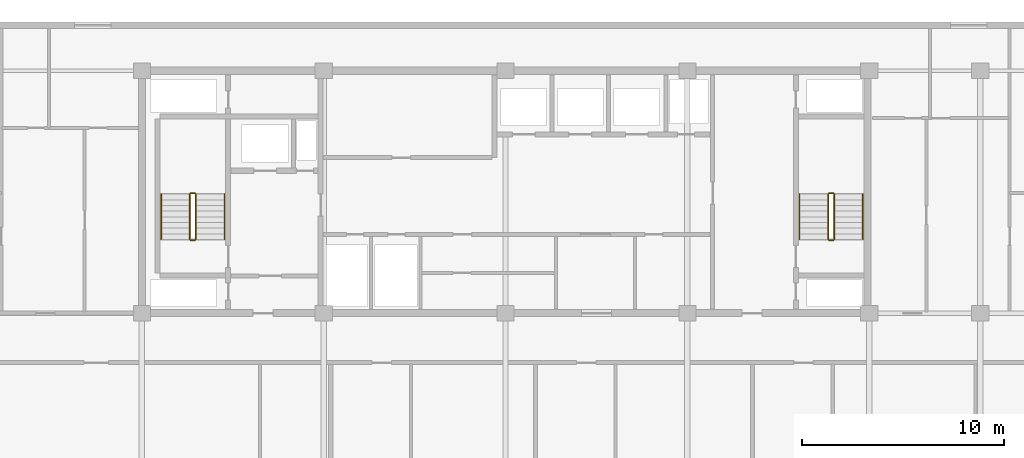
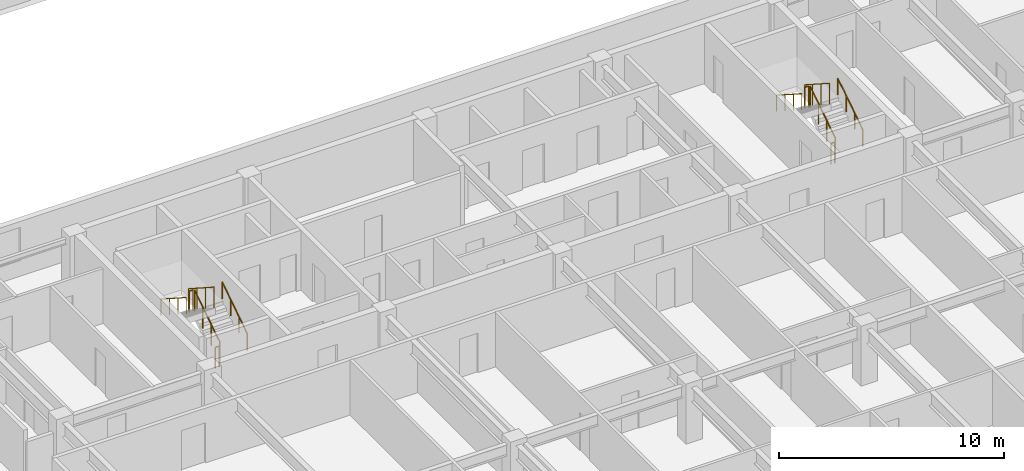
# One storey, part 18 of 21: 12 railings.
"""IFC4 building model written with IfcOpenShell, lengths in metres."""

from ifc_helpers import new_model, si_unit, direction, frame, origin, origin_2d, place, context, subcontext, project, spatial, circle, extrude, material, type_object, element, save


model = new_model("IFC4")

# Units and contexts
model_context = context("Model", 3, precision=1e-05, world=origin(), true_north=direction((0.0, 1.0)))
body_context = subcontext(model_context, "Body", "Model", "MODEL_VIEW")
ifc_project = project(units=[si_unit("LENGTHUNIT", "METRE"), si_unit("AREAUNIT", "SQUARE_METRE"), si_unit("VOLUMEUNIT", "CUBIC_METRE"), si_unit("PLANEANGLEUNIT", "RADIAN"), si_unit("MASSUNIT", "GRAM", prefix="KILO")], contexts=[model_context])

# Site, building, storey
site_placement = place(None, origin())
site = spatial("IfcSite", under=ifc_project, at=site_placement, CompositionType="ELEMENT")
building_placement = place(site_placement, origin())
building = spatial("IfcBuilding", under=site, at=building_placement, Name="Korimba Cascade Residences", CompositionType="ELEMENT")
storey_placement = place(building_placement, frame((0.0, 0.0, 100.300048828125)))
storey = spatial("IfcBuildingStorey", under=building, at=storey_placement, Name="L28", CompositionType="ELEMENT", Elevation=100.300048828125)

# Railings
ifc_material_1 = material(Name="Painted Steel Stairwell Guardrail", Category="steel")
railing_type_1 = type_object("IfcRailingType", Name="RLG-ST-GD1150", PredefinedType="GUARDRAIL", material=ifc_material_1)
railing_1_placement = place(storey_placement, frame((84.77001953125, 22.050048828125, 0.180419921875)))
element("IfcRailing", 1, at=railing_1_placement, inside=storey, type_object=railing_type_1, Name="L28 ST-E1 stair guard 1", PredefinedType="GUARDRAIL", context=body_context, shape_type="SweptSolid", body=[
    extrude(circle(Radius=0.02392578125, at=origin_2d()), frame((0.0, 0.0, 1.1259765625), z_axis=(0.0, 0.840394893359, 0.541974559565), x_axis=(-1.0, 0.0, 0.0)), (0.0, 0.0, 1.0), 2.665283203125),
    extrude(circle(Radius=0.02099609375, at=origin_2d()), origin(), (0.0, 0.0, 1.0), 1.101806640625),
    extrude(circle(Radius=0.02099609375, at=origin_2d()), frame((0.0, 0.74658203125, 0.4814453125)), (0.0, 0.0, 1.0), 1.101806640625),
    extrude(circle(Radius=0.02099609375, at=origin_2d()), frame((0.0, 1.493408203125, 0.963134765625)), (0.0, 0.0, 1.0), 1.101806640625),
    extrude(circle(Radius=0.02099609375, at=origin_2d()), frame((0.0, 2.239990234375, 1.444580078125)), (0.0, 0.0, 1.0), 1.101806640625),
])
railing_2_placement = place(storey_placement, frame((84.719970703125, 24.340087890625, 1.625)))
element("IfcRailing", 2, at=railing_2_placement, inside=storey, type_object=railing_type_1, Name="L28 ST-E1 stair guard 2", PredefinedType="GUARDRAIL", context=body_context, shape_type="SweptSolid", body=[
    extrude(circle(Radius=0.02392578125, at=origin_2d()), frame((0.0, 0.0, 1.1259765625), z_axis=(-1.0, 0.0, 0.0), x_axis=(0.0, -1.0, 0.0)), (0.0, 0.0, 1.0), 0.199951171875),
    extrude(circle(Radius=0.02099609375, at=origin_2d()), origin(), (0.0, 0.0, 1.0), 1.101806640625),
    extrude(circle(Radius=0.02099609375, at=origin_2d()), frame((-0.199951171875, 0.0, 0.0)), (0.0, 0.0, 1.0), 1.101806640625),
])
railing_3_placement = place(storey_placement, frame((84.469970703125, 24.2900390625, 1.805419921875)))
element("IfcRailing", 3, at=railing_3_placement, inside=storey, type_object=railing_type_1, Name="L28 ST-E1 stair guard 3", PredefinedType="GUARDRAIL", context=body_context, shape_type="SweptSolid", body=[
    extrude(circle(Radius=0.02392578125, at=origin_2d()), frame((0.0, 0.0, 1.1259765625), z_axis=(0.0, -0.840394893359, 0.541974559565), x_axis=(1.0, 0.0, 0.0)), (0.0, 0.0, 1.0), 2.665283203125),
    extrude(circle(Radius=0.02099609375, at=origin_2d()), origin(), (0.0, 0.0, 1.0), 1.101806640625),
    extrude(circle(Radius=0.02099609375, at=origin_2d()), frame((0.0, -0.74658203125, 0.4814453125)), (0.0, 0.0, 1.0), 1.101806640625),
    extrude(circle(Radius=0.02099609375, at=origin_2d()), frame((0.0, -1.493408203125, 0.963134765625)), (0.0, 0.0, 1.0), 1.101806640625),
    extrude(circle(Radius=0.02099609375, at=origin_2d()), frame((0.0, -2.239990234375, 1.444580078125)), (0.0, 0.0, 1.0), 1.101806640625),
])
railing_4_placement = place(storey_placement, frame((84.719970703125, 22.0, 0.0)))
element("IfcRailing", 4, at=railing_4_placement, inside=storey, type_object=railing_type_1, Name="L28 ST-E1 stair guard 4", PredefinedType="GUARDRAIL", context=body_context, shape_type="SweptSolid", body=[
    extrude(circle(Radius=0.02392578125, at=origin_2d()), frame((0.0, 0.0, 1.1259765625), z_axis=(-1.0, 0.0, 0.0), x_axis=(0.0, -1.0, 0.0)), (0.0, 0.0, 1.0), 0.199951171875),
    extrude(circle(Radius=0.02099609375, at=origin_2d()), origin(), (0.0, 0.0, 1.0), 1.101806640625),
    extrude(circle(Radius=0.02099609375, at=origin_2d()), frame((-0.199951171875, 0.0, 0.0)), (0.0, 0.0, 1.0), 1.101806640625),
])
railing_5_placement = place(storey_placement, frame((116.3701171875, 22.050048828125, 0.180419921875)))
element("IfcRailing", 5, at=railing_5_placement, inside=storey, type_object=railing_type_1, Name="L28 ST-E2 stair guard 1", PredefinedType="GUARDRAIL", context=body_context, shape_type="SweptSolid", body=[
    extrude(circle(Radius=0.02392578125, at=origin_2d()), frame((0.0, 0.0, 1.1259765625), z_axis=(0.0, 0.840394893359, 0.541974559565), x_axis=(-1.0, 0.0, 0.0)), (0.0, 0.0, 1.0), 2.665283203125),
    extrude(circle(Radius=0.02099609375, at=origin_2d()), origin(), (0.0, 0.0, 1.0), 1.101806640625),
    extrude(circle(Radius=0.02099609375, at=origin_2d()), frame((0.0, 0.74658203125, 0.4814453125)), (0.0, 0.0, 1.0), 1.101806640625),
    extrude(circle(Radius=0.02099609375, at=origin_2d()), frame((0.0, 1.493408203125, 0.963134765625)), (0.0, 0.0, 1.0), 1.101806640625),
    extrude(circle(Radius=0.02099609375, at=origin_2d()), frame((0.0, 2.239990234375, 1.444580078125)), (0.0, 0.0, 1.0), 1.101806640625),
])
railing_6_placement = place(storey_placement, frame((116.320068359375, 24.340087890625, 1.625)))
element("IfcRailing", 6, at=railing_6_placement, inside=storey, type_object=railing_type_1, Name="L28 ST-E2 stair guard 2", PredefinedType="GUARDRAIL", context=body_context, shape_type="SweptSolid", body=[
    extrude(circle(Radius=0.02392578125, at=origin_2d()), frame((0.0, 0.0, 1.1259765625), z_axis=(-1.0, 0.0, 0.0), x_axis=(0.0, -1.0, 0.0)), (0.0, 0.0, 1.0), 0.199951171875),
    extrude(circle(Radius=0.02099609375, at=origin_2d()), origin(), (0.0, 0.0, 1.0), 1.101806640625),
    extrude(circle(Radius=0.02099609375, at=origin_2d()), frame((-0.199951171875, 0.0, 0.0)), (0.0, 0.0, 1.0), 1.101806640625),
])
railing_7_placement = place(storey_placement, frame((116.070068359375, 24.2900390625, 1.805419921875)))
element("IfcRailing", 7, at=railing_7_placement, inside=storey, type_object=railing_type_1, Name="L28 ST-E2 stair guard 3", PredefinedType="GUARDRAIL", context=body_context, shape_type="SweptSolid", body=[
    extrude(circle(Radius=0.02392578125, at=origin_2d()), frame((0.0, 0.0, 1.1259765625), z_axis=(0.0, -0.840394893359, 0.541974559565), x_axis=(1.0, 0.0, 0.0)), (0.0, 0.0, 1.0), 2.665283203125),
    extrude(circle(Radius=0.02099609375, at=origin_2d()), origin(), (0.0, 0.0, 1.0), 1.101806640625),
    extrude(circle(Radius=0.02099609375, at=origin_2d()), frame((0.0, -0.74658203125, 0.4814453125)), (0.0, 0.0, 1.0), 1.101806640625),
    extrude(circle(Radius=0.02099609375, at=origin_2d()), frame((0.0, -1.493408203125, 0.963134765625)), (0.0, 0.0, 1.0), 1.101806640625),
    extrude(circle(Radius=0.02099609375, at=origin_2d()), frame((0.0, -2.239990234375, 1.444580078125)), (0.0, 0.0, 1.0), 1.101806640625),
])
railing_8_placement = place(storey_placement, frame((116.320068359375, 22.0, 0.0)))
element("IfcRailing", 8, at=railing_8_placement, inside=storey, type_object=railing_type_1, Name="L28 ST-E2 stair guard 4", PredefinedType="GUARDRAIL", context=body_context, shape_type="SweptSolid", body=[
    extrude(circle(Radius=0.02392578125, at=origin_2d()), frame((0.0, 0.0, 1.1259765625), z_axis=(-1.0, 0.0, 0.0), x_axis=(0.0, -1.0, 0.0)), (0.0, 0.0, 1.0), 0.199951171875),
    extrude(circle(Radius=0.02099609375, at=origin_2d()), origin(), (0.0, 0.0, 1.0), 1.101806640625),
    extrude(circle(Radius=0.02099609375, at=origin_2d()), frame((-0.199951171875, 0.0, 0.0)), (0.0, 0.0, 1.0), 1.101806640625),
])
ifc_material_2 = material(Name="Brushed Stainless Steel Handrail", Category="steel")
railing_type_2 = type_object("IfcRailingType", Name="RLG-ST-HR900", PredefinedType="HANDRAIL", material=ifc_material_2)
railing_9_placement = place(storey_placement, frame((86.18994140625, 22.050048828125, 0.364990234375)))
element("IfcRailing", 9, at=railing_9_placement, inside=storey, type_object=railing_type_2, Name="L28 ST-E1 stair handrail 1", PredefinedType="HANDRAIL", context=body_context, shape_type="SweptSolid", body=[
    extrude(circle(Radius=0.02392578125, at=origin_2d()), frame((0.0, 0.0, 0.8759765625), z_axis=(0.0, 0.840436612492, 0.541909863706), x_axis=(-1.0, 0.0, 0.0)), (0.0, 0.0, 1.0), 2.665283203125),
    extrude(circle(Radius=0.02099609375, at=origin_2d()), origin(), (0.0, 0.0, 1.0), 0.851806640625),
    extrude(circle(Radius=0.02099609375, at=origin_2d()), frame((0.0, 0.74658203125, 0.4814453125)), (0.0, 0.0, 1.0), 0.851806640625),
    extrude(circle(Radius=0.02099609375, at=origin_2d()), frame((0.0, 1.493408203125, 0.962890625)), (0.0, 0.0, 1.0), 0.851806640625),
    extrude(circle(Radius=0.02099609375, at=origin_2d()), frame((0.0, 2.239990234375, 1.4443359375)), (0.0, 0.0, 1.0), 0.851806640625),
])
railing_10_placement = place(storey_placement, frame((83.050048828125, 24.2900390625, 1.989990234375)))
element("IfcRailing", 10, at=railing_10_placement, inside=storey, type_object=railing_type_2, Name="L28 ST-E1 stair handrail 2", PredefinedType="HANDRAIL", context=body_context, shape_type="SweptSolid", body=[
    extrude(circle(Radius=0.02392578125, at=origin_2d()), frame((0.0, 0.0, 0.8759765625), z_axis=(0.0, -0.840436612492, 0.541909863706), x_axis=(1.0, 0.0, 0.0)), (0.0, 0.0, 1.0), 2.665283203125),
    extrude(circle(Radius=0.02099609375, at=origin_2d()), origin(), (0.0, 0.0, 1.0), 0.851806640625),
    extrude(circle(Radius=0.02099609375, at=origin_2d()), frame((0.0, -0.74658203125, 0.4814453125)), (0.0, 0.0, 1.0), 0.851806640625),
    extrude(circle(Radius=0.02099609375, at=origin_2d()), frame((0.0, -1.493408203125, 0.962890625)), (0.0, 0.0, 1.0), 0.851806640625),
    extrude(circle(Radius=0.02099609375, at=origin_2d()), frame((0.0, -2.239990234375, 1.4443359375)), (0.0, 0.0, 1.0), 0.851806640625),
])
railing_11_placement = place(storey_placement, frame((117.7900390625, 22.050048828125, 0.364990234375)))
element("IfcRailing", 11, at=railing_11_placement, inside=storey, type_object=railing_type_2, Name="L28 ST-E2 stair handrail 1", PredefinedType="HANDRAIL", context=body_context, shape_type="SweptSolid", body=[
    extrude(circle(Radius=0.02392578125, at=origin_2d()), frame((0.0, 0.0, 0.8759765625), z_axis=(0.0, 0.840436612492, 0.541909863706), x_axis=(-1.0, 0.0, 0.0)), (0.0, 0.0, 1.0), 2.665283203125),
    extrude(circle(Radius=0.02099609375, at=origin_2d()), origin(), (0.0, 0.0, 1.0), 0.851806640625),
    extrude(circle(Radius=0.02099609375, at=origin_2d()), frame((0.0, 0.74658203125, 0.4814453125)), (0.0, 0.0, 1.0), 0.851806640625),
    extrude(circle(Radius=0.02099609375, at=origin_2d()), frame((0.0, 1.493408203125, 0.962890625)), (0.0, 0.0, 1.0), 0.851806640625),
    extrude(circle(Radius=0.02099609375, at=origin_2d()), frame((0.0, 2.239990234375, 1.4443359375)), (0.0, 0.0, 1.0), 0.851806640625),
])
railing_12_placement = place(storey_placement, frame((114.64990234375, 24.2900390625, 1.989990234375)))
element("IfcRailing", 12, at=railing_12_placement, inside=storey, type_object=railing_type_2, Name="L28 ST-E2 stair handrail 2", PredefinedType="HANDRAIL", context=body_context, shape_type="SweptSolid", body=[
    extrude(circle(Radius=0.02392578125, at=origin_2d()), frame((0.0, 0.0, 0.8759765625), z_axis=(0.0, -0.840436612492, 0.541909863706), x_axis=(1.0, 0.0, 0.0)), (0.0, 0.0, 1.0), 2.665283203125),
    extrude(circle(Radius=0.02099609375, at=origin_2d()), origin(), (0.0, 0.0, 1.0), 0.851806640625),
    extrude(circle(Radius=0.02099609375, at=origin_2d()), frame((0.0, -0.74658203125, 0.4814453125)), (0.0, 0.0, 1.0), 0.851806640625),
    extrude(circle(Radius=0.02099609375, at=origin_2d()), frame((0.0, -1.493408203125, 0.962890625)), (0.0, 0.0, 1.0), 0.851806640625),
    extrude(circle(Radius=0.02099609375, at=origin_2d()), frame((0.0, -2.239990234375, 1.4443359375)), (0.0, 0.0, 1.0), 0.851806640625),
])

save(model, "model.ifc")
